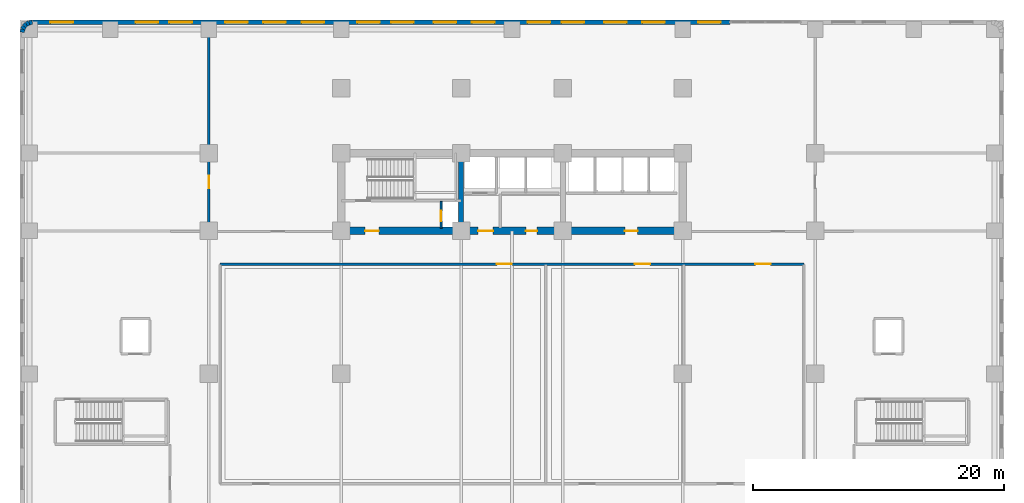
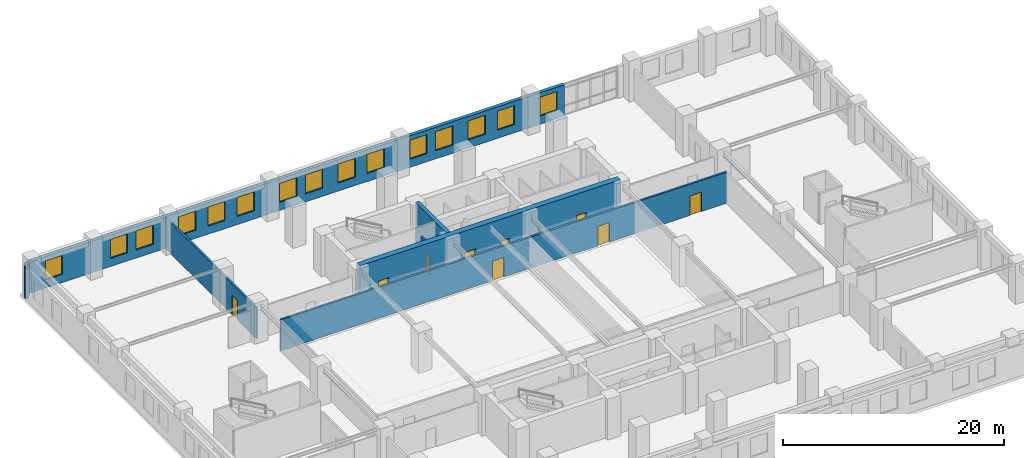
# One storey, part 9 of 16: 15 windows, 11 walls, 9 doors, 24 openings.
"""IFC4 building model written with IfcOpenShell, lengths in metres."""

from ifc_helpers import new_model, si_unit, direction, frame, frame_2d, origin, place, context, subcontext, project, spatial, rectangle, extrude, material, layer, layer_set, type_object, element, fill, save


model = new_model("IFC4")

# Units and contexts
model_context = context("Model", 3, precision=1e-05, world=origin(), true_north=direction((0.0, 1.0)))
body_context = subcontext(model_context, "Body", "Model", "MODEL_VIEW")
ifc_project = project(units=[si_unit("LENGTHUNIT", "METRE"), si_unit("AREAUNIT", "SQUARE_METRE"), si_unit("VOLUMEUNIT", "CUBIC_METRE"), si_unit("PLANEANGLEUNIT", "RADIAN"), si_unit("MASSUNIT", "GRAM", prefix="KILO")], contexts=[model_context])

# Site, building, storey
site_placement = place(None, origin())
site = spatial("IfcSite", under=ifc_project, at=site_placement, CompositionType="ELEMENT")
building_placement = place(site_placement, origin())
building = spatial("IfcBuilding", under=site, at=building_placement, Name="Svetorya Sky Lyceum", CompositionType="ELEMENT")
storey_placement = place(building_placement, frame((0.0, 0.0, 11.10009765625)))
storey = spatial("IfcBuildingStorey", under=building, at=storey_placement, Name="L02", CompositionType="ELEMENT", Elevation=11.10009765625)

# Wall
ifc_material_1 = material(Name="Concrete C40/50", Category="concrete")
ifc_layer_1 = layer(ifc_material_1, 0.39990234375)
ifc_layer_set_1 = layer_set([ifc_layer_1], Name="Concrete C40/50")
wall_type_1 = type_object("IfcWallType", Name="WL-CORE-400", PredefinedType="SHEAR", material=ifc_layer_set_1)
wall_1_placement = place(storey_placement, frame((35.14990234375, 39.89990234375, 0.0), z_axis=(0.0, 0.0, 1.0), x_axis=(0.0, 1.0, 0.0)))
element("IfcWall", 1, at=wall_1_placement, inside=storey, type_object=wall_type_1, Name="L02 NC Internal Shear Web WEB1", PredefinedType="SHEAR", context=body_context, shape_type="SweptSolid", body=[
    extrude(rectangle(XDim=5.60009765625, YDim=0.39990234375, at=frame_2d((2.800048828125, 0.0))), origin(), (0.0, 0.0, 1.0), 4.5),
])

# Wall, openings, doors
ifc_material_2 = material(Name="Concrete C60/75", Category="concrete")
ifc_layer_2 = layer(ifc_material_2, 0.60009765625)
ifc_layer_set_2 = layer_set([ifc_layer_2], Name="Concrete C60/75")
wall_type_2 = type_object("IfcWallType", Name="WL-CORE-600", PredefinedType="SHEAR", material=ifc_layer_set_2)
wall_2_placement = place(storey_placement, frame((52.800048828125, 39.60009765625, 0.0), z_axis=(0.0, 0.0, 1.0), x_axis=(-1.0, 0.0, 0.0)))
wall_2 = element("IfcWall", 2, at=wall_2_placement, inside=storey, type_object=wall_type_2, Name="L02 NC Inner Core Shear Wall", PredefinedType="SHEAR", context=body_context, shape_type="SweptSolid", body=[
    extrude(rectangle(XDim=27.199951171875, YDim=0.60009765625, at=frame_2d((13.60009765625, 0.0))), origin(), (0.0, 0.0, 1.0), 4.5),
])
opening_1_placement = place(wall_2_placement, frame((24.199951171875, 0.0, 0.0)))
opening_1 = element("IfcOpeningElement", 3, at=opening_1_placement, cuts=wall_2, Name="Opening D-ST1", PredefinedType="OPENING", context=body_context, shape_type="SweptSolid", body=[
    extrude(rectangle(XDim=1.10009765625, YDim=2.14990234375, at=frame_2d((0.550048828125, 1.074951171875))), frame((0.0, 0.31005859375, 0.0), z_axis=(0.0, -1.0, 0.0), x_axis=(1.0, 0.0, 0.0)), (0.0, 0.0, 1.0), 0.6201171875),
])
opening_2_placement = place(wall_2_placement, frame((15.10009765625, 0.0, 0.0)))
opening_2 = element("IfcOpeningElement", 4, at=opening_2_placement, cuts=wall_2, Name="Opening D-FL1", PredefinedType="OPENING", context=body_context, shape_type="SweptSolid", body=[
    extrude(rectangle(XDim=1.199951171875, YDim=2.14990234375, at=frame_2d((0.60009765625, 1.074951171875))), frame((0.0, 0.31005859375, 0.0), z_axis=(0.0, -1.0, 0.0), x_axis=(1.0, 0.0, 0.0)), (0.0, 0.0, 1.0), 0.6201171875),
])
opening_3_placement = place(wall_2_placement, frame((11.60009765625, 0.0, 0.0)))
opening_3 = element("IfcOpeningElement", 5, at=opening_3_placement, cuts=wall_2, Name="Opening D-RM1", PredefinedType="OPENING", context=body_context, shape_type="SweptSolid", body=[
    extrude(rectangle(XDim=0.89990234375, YDim=2.10009765625, at=frame_2d((0.449951171875, 1.050048828125))), frame((0.0, 0.31005859375, 0.0), z_axis=(0.0, -1.0, 0.0), x_axis=(1.0, 0.0, 0.0)), (0.0, 0.0, 1.0), 0.6201171875),
])
opening_4_placement = place(wall_2_placement, frame((3.60009765625, 0.0, 0.0)))
opening_4 = element("IfcOpeningElement", 6, at=opening_4_placement, cuts=wall_2, Name="Opening D-RM2", PredefinedType="OPENING", context=body_context, shape_type="SweptSolid", body=[
    extrude(rectangle(XDim=1.0, YDim=2.14990234375, at=frame_2d((0.5, 1.074951171875))), frame((0.0, 0.31005859375, 0.0), z_axis=(0.0, -1.0, 0.0), x_axis=(1.0, 0.0, 0.0)), (0.0, 0.0, 1.0), 0.6201171875),
])
ifc_material_3 = material(Name="Powder-coated insulated galvanized stair fire door")
door_type_1 = type_object("IfcDoorType", Name="DR-FIRE-1100", OperationType="SINGLE_SWING_LEFT", PredefinedType="DOOR", material=ifc_material_3)
door_1_placement = place(opening_1_placement, origin())
door_1 = element("IfcDoor", 7, at=door_1_placement, inside=storey, type_object=door_type_1, Name="L02 North Stair Airlock Door", OperationType="SINGLE_SWING_LEFT", OverallHeight=2.14990234375, OverallWidth=1.10009765625, PredefinedType="DOOR", context=body_context, shape_type="SweptSolid", body=[
    extrude(rectangle(XDim=1.10009765625, YDim=2.14990234375, at=frame_2d((0.550048828125, 1.074951171875))), frame((0.0, 0.02490234375, 0.0), z_axis=(0.0, -1.0, 0.0), x_axis=(1.0, 0.0, 0.0)), (0.0, 0.0, 1.0), 0.050048828125),
])
fill(opening_1, door_1)
ifc_material_4 = material(Name="Powder-coated insulated galvanized fire door")
door_type_2 = type_object("IfcDoorType", Name="DR-FIRE-1200", OperationType="SINGLE_SWING_LEFT", PredefinedType="DOOR", material=ifc_material_4)
door_2_placement = place(opening_2_placement, origin())
door_2 = element("IfcDoor", 8, at=door_2_placement, inside=storey, type_object=door_type_2, Name="L02 North Firefighting Lift Lobby Door", OperationType="SINGLE_SWING_RIGHT", OverallHeight=2.14990234375, OverallWidth=1.199951171875, PredefinedType="DOOR", context=body_context, shape_type="SweptSolid", body=[
    extrude(rectangle(XDim=1.199951171875, YDim=2.14990234375, at=frame_2d((0.60009765625, 1.074951171875))), frame((0.0, 0.02490234375, 0.0), z_axis=(0.0, -1.0, 0.0), x_axis=(1.0, 0.0, 0.0)), (0.0, 0.0, 1.0), 0.050048828125),
])
fill(opening_2, door_2)
ifc_material_5 = material(Name="Solid-core oak acoustic room door")
door_type_3 = type_object("IfcDoorType", Name="DR-INT-1000", OperationType="SINGLE_SWING_LEFT", PredefinedType="DOOR", material=ifc_material_5)
door_3_placement = place(opening_4_placement, origin())
door_3 = element("IfcDoor", 9, at=door_3_placement, inside=storey, type_object=door_type_3, Name="L02 North Trunk Store Door", OperationType="SINGLE_SWING_LEFT", OverallHeight=2.14990234375, OverallWidth=1.0, PredefinedType="DOOR", context=body_context, shape_type="SweptSolid", body=[
    extrude(rectangle(XDim=1.0, YDim=2.14990234375, at=frame_2d((0.5, 1.074951171875))), frame((0.0, 0.02490234375, 0.0), z_axis=(0.0, -1.0, 0.0), x_axis=(1.0, 0.0, 0.0)), (0.0, 0.0, 1.0), 0.050048828125),
])
fill(opening_4, door_3)
ifc_material_6 = material(Name="Lacquered birch veneer internal door")
door_type_4 = type_object("IfcDoorType", Name="DR-INT-900", OperationType="SINGLE_SWING_LEFT", PredefinedType="DOOR", material=ifc_material_6)
door_4_placement = place(opening_3_placement, origin())
door_4 = element("IfcDoor", 10, at=door_4_placement, inside=storey, type_object=door_type_4, Name="L02 North Equipment Store Door", OperationType="SINGLE_SWING_LEFT", OverallHeight=2.10009765625, OverallWidth=0.89990234375, PredefinedType="DOOR", context=body_context, shape_type="SweptSolid", body=[
    extrude(rectangle(XDim=0.89990234375, YDim=2.10009765625, at=frame_2d((0.449951171875, 1.050048828125))), frame((0.0, 0.02490234375, 0.0), z_axis=(0.0, -1.0, 0.0), x_axis=(1.0, 0.0, 0.0)), (0.0, 0.0, 1.0), 0.050048828125),
])
fill(opening_3, door_4)

# Wall, openings, windows
ifc_material_7 = material(Name="Putilovo limestone rainscreen on autoclaved cellular masonry", Category="masonry")
ifc_layer_3 = layer(ifc_material_7, 0.360107421875)
ifc_layer_set_3 = layer_set([ifc_layer_3], Name="Putilovo limestone rainscreen on autoclaved cellular masonry")
wall_type_3 = type_object("IfcWallType", Name="WL-EXT-360", PredefinedType="SOLIDWALL", material=ifc_layer_set_3)
wall_3_placement = place(storey_placement, frame((56.570068359375, 56.219970703125, 0.0), z_axis=(0.0, 0.0, 1.0), x_axis=(-1.0, 0.0, 0.0)))
wall_3 = element("IfcWall", 11, at=wall_3_placement, inside=storey, type_object=wall_type_3, Name="L02 Limestone Exterior Wall 18B", PredefinedType="SOLIDWALL", context=body_context, shape_type="SweptSolid", body=[
    extrude(rectangle(XDim=55.590087890625, YDim=0.360107421875, at=frame_2d((27.794921875, 0.0))), origin(), (0.0, 0.0, 1.0), 3.47998046875),
])
opening_5_placement = place(wall_3_placement, frame((0.74658203125, 0.0, 0.89990234375)))
opening_5 = element("IfcOpeningElement", 12, at=opening_5_placement, cuts=wall_3, Name="Opening W-S2", PredefinedType="OPENING", context=body_context, shape_type="SweptSolid", body=[
    extrude(rectangle(XDim=1.800048828125, YDim=2.10009765625, at=frame_2d((0.89990234375, 1.050048828125))), frame((0.0, 0.18994140625, 0.0), z_axis=(0.0, -1.0, 0.0), x_axis=(1.0, 0.0, 0.0)), (0.0, 0.0, 1.0), 0.380126953125),
])
opening_6_placement = place(wall_3_placement, frame((5.189697265625, 0.0, 0.89990234375)))
opening_6 = element("IfcOpeningElement", 13, at=opening_6_placement, cuts=wall_3, Name="Opening W-S2", PredefinedType="OPENING", context=body_context, shape_type="SweptSolid", body=[
    extrude(rectangle(XDim=1.800048828125, YDim=2.10009765625, at=frame_2d((0.89990234375, 1.050048828125))), frame((0.0, 0.18994140625, 0.0), z_axis=(0.0, -1.0, 0.0), x_axis=(1.0, 0.0, 0.0)), (0.0, 0.0, 1.0), 0.380126953125),
])
opening_7_placement = place(wall_3_placement, frame((8.23291015625, 0.0, 0.89990234375)))
opening_7 = element("IfcOpeningElement", 14, at=opening_7_placement, cuts=wall_3, Name="Opening W-S2", PredefinedType="OPENING", context=body_context, shape_type="SweptSolid", body=[
    extrude(rectangle(XDim=1.800048828125, YDim=2.10009765625, at=frame_2d((0.89990234375, 1.050048828125))), frame((0.0, 0.18994140625, 0.0), z_axis=(0.0, -1.0, 0.0), x_axis=(1.0, 0.0, 0.0)), (0.0, 0.0, 1.0), 0.380126953125),
])
opening_8_placement = place(wall_3_placement, frame((11.6259765625, 0.0, 0.89990234375)))
opening_8 = element("IfcOpeningElement", 15, at=opening_8_placement, cuts=wall_3, Name="Opening W-S2", PredefinedType="OPENING", context=body_context, shape_type="SweptSolid", body=[
    extrude(rectangle(XDim=1.800048828125, YDim=2.10009765625, at=frame_2d((0.89990234375, 1.050048828125))), frame((0.0, 0.18994140625, 0.0), z_axis=(0.0, -1.0, 0.0), x_axis=(1.0, 0.0, 0.0)), (0.0, 0.0, 1.0), 0.380126953125),
])
opening_9_placement = place(wall_3_placement, frame((14.319091796875, 0.0, 0.89990234375)))
opening_9 = element("IfcOpeningElement", 16, at=opening_9_placement, cuts=wall_3, Name="Opening W-S2", PredefinedType="OPENING", context=body_context, shape_type="SweptSolid", body=[
    extrude(rectangle(XDim=1.800048828125, YDim=2.10009765625, at=frame_2d((0.89990234375, 1.050048828125))), frame((0.0, 0.18994140625, 0.0), z_axis=(0.0, -1.0, 0.0), x_axis=(1.0, 0.0, 0.0)), (0.0, 0.0, 1.0), 0.380126953125),
])
opening_10_placement = place(wall_3_placement, frame((18.76220703125, 0.0, 0.89990234375)))
opening_10 = element("IfcOpeningElement", 17, at=opening_10_placement, cuts=wall_3, Name="Opening W-S2", PredefinedType="OPENING", context=body_context, shape_type="SweptSolid", body=[
    extrude(rectangle(XDim=1.800048828125, YDim=2.10009765625, at=frame_2d((0.89990234375, 1.050048828125))), frame((0.0, 0.18994140625, 0.0), z_axis=(0.0, -1.0, 0.0), x_axis=(1.0, 0.0, 0.0)), (0.0, 0.0, 1.0), 0.380126953125),
])
opening_11_placement = place(wall_3_placement, frame((21.805419921875, 0.0, 0.89990234375)))
opening_11 = element("IfcOpeningElement", 18, at=opening_11_placement, cuts=wall_3, Name="Opening W-S2", PredefinedType="OPENING", context=body_context, shape_type="SweptSolid", body=[
    extrude(rectangle(XDim=1.800048828125, YDim=2.10009765625, at=frame_2d((0.89990234375, 1.050048828125))), frame((0.0, 0.18994140625, 0.0), z_axis=(0.0, -1.0, 0.0), x_axis=(1.0, 0.0, 0.0)), (0.0, 0.0, 1.0), 0.380126953125),
])
opening_12_placement = place(wall_3_placement, frame((25.198486328125, 0.0, 0.89990234375)))
opening_12 = element("IfcOpeningElement", 19, at=opening_12_placement, cuts=wall_3, Name="Opening W-S2", PredefinedType="OPENING", context=body_context, shape_type="SweptSolid", body=[
    extrude(rectangle(XDim=1.800048828125, YDim=2.10009765625, at=frame_2d((0.89990234375, 1.050048828125))), frame((0.0, 0.18994140625, 0.0), z_axis=(0.0, -1.0, 0.0), x_axis=(1.0, 0.0, 0.0)), (0.0, 0.0, 1.0), 0.380126953125),
])
opening_13_placement = place(wall_3_placement, frame((27.8916015625, 0.0, 0.89990234375)))
opening_13 = element("IfcOpeningElement", 20, at=opening_13_placement, cuts=wall_3, Name="Opening W-S2", PredefinedType="OPENING", context=body_context, shape_type="SweptSolid", body=[
    extrude(rectangle(XDim=1.800048828125, YDim=2.10009765625, at=frame_2d((0.89990234375, 1.050048828125))), frame((0.0, 0.18994140625, 0.0), z_axis=(0.0, -1.0, 0.0), x_axis=(1.0, 0.0, 0.0)), (0.0, 0.0, 1.0), 0.380126953125),
])
opening_14_placement = place(wall_3_placement, frame((32.334716796875, 0.0, 0.89990234375)))
opening_14 = element("IfcOpeningElement", 21, at=opening_14_placement, cuts=wall_3, Name="Opening W-S2", PredefinedType="OPENING", context=body_context, shape_type="SweptSolid", body=[
    extrude(rectangle(XDim=1.800048828125, YDim=2.10009765625, at=frame_2d((0.89990234375, 1.050048828125))), frame((0.0, 0.18994140625, 0.0), z_axis=(0.0, -1.0, 0.0), x_axis=(1.0, 0.0, 0.0)), (0.0, 0.0, 1.0), 0.380126953125),
])
opening_15_placement = place(wall_3_placement, frame((35.377685546875, 0.0, 0.89990234375)))
opening_15 = element("IfcOpeningElement", 22, at=opening_15_placement, cuts=wall_3, Name="Opening W-S2", PredefinedType="OPENING", context=body_context, shape_type="SweptSolid", body=[
    extrude(rectangle(XDim=1.800048828125, YDim=2.10009765625, at=frame_2d((0.89990234375, 1.050048828125))), frame((0.0, 0.18994140625, 0.0), z_axis=(0.0, -1.0, 0.0), x_axis=(1.0, 0.0, 0.0)), (0.0, 0.0, 1.0), 0.380126953125),
])
opening_16_placement = place(wall_3_placement, frame((38.4208984375, 0.0, 0.89990234375)))
opening_16 = element("IfcOpeningElement", 23, at=opening_16_placement, cuts=wall_3, Name="Opening W-S2", PredefinedType="OPENING", context=body_context, shape_type="SweptSolid", body=[
    extrude(rectangle(XDim=1.800048828125, YDim=2.10009765625, at=frame_2d((0.89990234375, 1.050048828125))), frame((0.0, 0.18994140625, 0.0), z_axis=(0.0, -1.0, 0.0), x_axis=(1.0, 0.0, 0.0)), (0.0, 0.0, 1.0), 0.380126953125),
])
opening_17_placement = place(wall_3_placement, frame((42.864013671875, 0.0, 0.89990234375)))
opening_17 = element("IfcOpeningElement", 24, at=opening_17_placement, cuts=wall_3, Name="Opening W-S2", PredefinedType="OPENING", context=body_context, shape_type="SweptSolid", body=[
    extrude(rectangle(XDim=1.800048828125, YDim=2.10009765625, at=frame_2d((0.89990234375, 1.050048828125))), frame((0.0, 0.18994140625, 0.0), z_axis=(0.0, -1.0, 0.0), x_axis=(1.0, 0.0, 0.0)), (0.0, 0.0, 1.0), 0.380126953125),
])
opening_18_placement = place(wall_3_placement, frame((45.55712890625, 0.0, 0.89990234375)))
opening_18 = element("IfcOpeningElement", 25, at=opening_18_placement, cuts=wall_3, Name="Opening W-S2", PredefinedType="OPENING", context=body_context, shape_type="SweptSolid", body=[
    extrude(rectangle(XDim=1.800048828125, YDim=2.10009765625, at=frame_2d((0.89990234375, 1.050048828125))), frame((0.0, 0.18994140625, 0.0), z_axis=(0.0, -1.0, 0.0), x_axis=(1.0, 0.0, 0.0)), (0.0, 0.0, 1.0), 0.380126953125),
])
opening_19_placement = place(wall_3_placement, frame((52.343505859375, 0.0, 0.89990234375)))
opening_19 = element("IfcOpeningElement", 26, at=opening_19_placement, cuts=wall_3, Name="Opening W-S2", PredefinedType="OPENING", context=body_context, shape_type="SweptSolid", body=[
    extrude(rectangle(XDim=1.800048828125, YDim=2.10009765625, at=frame_2d((0.89990234375, 1.050048828125))), frame((0.0, 0.18994140625, 0.0), z_axis=(0.0, -1.0, 0.0), x_axis=(1.0, 0.0, 0.0)), (0.0, 0.0, 1.0), 0.380126953125),
])
ifc_material_8 = material(Name="Thermally broken aluminium frame with triple low-E glazing", Category="aluminium")
window_type = type_object("IfcWindowType", Name="WN-SCH-180", PartitioningType="DOUBLE_PANEL_VERTICAL", PredefinedType="WINDOW", material=ifc_material_8)
window_1_placement = place(opening_5_placement, origin())
window_1 = element("IfcWindow", 27, at=window_1_placement, inside=storey, type_object=window_type, Name="L02 Facade Window W-S2.18B.1", OverallHeight=2.10009765625, OverallWidth=1.800048828125, PartitioningType="SINGLE_PANEL", PredefinedType="WINDOW", context=body_context, shape_type="SweptSolid", body=[
    extrude(rectangle(XDim=1.800048828125, YDim=2.10009765625, at=frame_2d((0.89990234375, 1.050048828125))), frame((0.0, 0.030029296875, 0.0), z_axis=(0.0, -1.0, 0.0), x_axis=(1.0, 0.0, 0.0)), (0.0, 0.0, 1.0), 0.06005859375),
])
fill(opening_5, window_1)
window_2_placement = place(opening_6_placement, origin())
window_2 = element("IfcWindow", 28, at=window_2_placement, inside=storey, type_object=window_type, Name="L02 Facade Window W-S2.18B.2", OverallHeight=2.10009765625, OverallWidth=1.800048828125, PartitioningType="SINGLE_PANEL", PredefinedType="WINDOW", context=body_context, shape_type="SweptSolid", body=[
    extrude(rectangle(XDim=1.800048828125, YDim=2.10009765625, at=frame_2d((0.89990234375, 1.050048828125))), frame((0.0, 0.030029296875, 0.0), z_axis=(0.0, -1.0, 0.0), x_axis=(1.0, 0.0, 0.0)), (0.0, 0.0, 1.0), 0.06005859375),
])
fill(opening_6, window_2)
window_3_placement = place(opening_7_placement, origin())
window_3 = element("IfcWindow", 29, at=window_3_placement, inside=storey, type_object=window_type, Name="L02 Facade Window W-S2.18B.3", OverallHeight=2.10009765625, OverallWidth=1.800048828125, PartitioningType="SINGLE_PANEL", PredefinedType="WINDOW", context=body_context, shape_type="SweptSolid", body=[
    extrude(rectangle(XDim=1.800048828125, YDim=2.10009765625, at=frame_2d((0.89990234375, 1.050048828125))), frame((0.0, 0.030029296875, 0.0), z_axis=(0.0, -1.0, 0.0), x_axis=(1.0, 0.0, 0.0)), (0.0, 0.0, 1.0), 0.06005859375),
])
fill(opening_7, window_3)
window_4_placement = place(opening_8_placement, origin())
window_4 = element("IfcWindow", 30, at=window_4_placement, inside=storey, type_object=window_type, Name="L02 Facade Window W-S2.18B.4", OverallHeight=2.10009765625, OverallWidth=1.800048828125, PartitioningType="SINGLE_PANEL", PredefinedType="WINDOW", context=body_context, shape_type="SweptSolid", body=[
    extrude(rectangle(XDim=1.800048828125, YDim=2.10009765625, at=frame_2d((0.89990234375, 1.050048828125))), frame((0.0, 0.030029296875, 0.0), z_axis=(0.0, -1.0, 0.0), x_axis=(1.0, 0.0, 0.0)), (0.0, 0.0, 1.0), 0.06005859375),
])
fill(opening_8, window_4)
window_5_placement = place(opening_9_placement, origin())
window_5 = element("IfcWindow", 31, at=window_5_placement, inside=storey, type_object=window_type, Name="L02 Facade Window W-S2.18B.5", OverallHeight=2.10009765625, OverallWidth=1.800048828125, PartitioningType="SINGLE_PANEL", PredefinedType="WINDOW", context=body_context, shape_type="SweptSolid", body=[
    extrude(rectangle(XDim=1.800048828125, YDim=2.10009765625, at=frame_2d((0.89990234375, 1.050048828125))), frame((0.0, 0.030029296875, 0.0), z_axis=(0.0, -1.0, 0.0), x_axis=(1.0, 0.0, 0.0)), (0.0, 0.0, 1.0), 0.06005859375),
])
fill(opening_9, window_5)
window_6_placement = place(opening_10_placement, origin())
window_6 = element("IfcWindow", 32, at=window_6_placement, inside=storey, type_object=window_type, Name="L02 Facade Window W-S2.18B.6", OverallHeight=2.10009765625, OverallWidth=1.800048828125, PartitioningType="SINGLE_PANEL", PredefinedType="WINDOW", context=body_context, shape_type="SweptSolid", body=[
    extrude(rectangle(XDim=1.800048828125, YDim=2.10009765625, at=frame_2d((0.89990234375, 1.050048828125))), frame((0.0, 0.030029296875, 0.0), z_axis=(0.0, -1.0, 0.0), x_axis=(1.0, 0.0, 0.0)), (0.0, 0.0, 1.0), 0.06005859375),
])
fill(opening_10, window_6)
window_7_placement = place(opening_11_placement, origin())
window_7 = element("IfcWindow", 33, at=window_7_placement, inside=storey, type_object=window_type, Name="L02 Facade Window W-S2.18B.7", OverallHeight=2.10009765625, OverallWidth=1.800048828125, PartitioningType="SINGLE_PANEL", PredefinedType="WINDOW", context=body_context, shape_type="SweptSolid", body=[
    extrude(rectangle(XDim=1.800048828125, YDim=2.10009765625, at=frame_2d((0.89990234375, 1.050048828125))), frame((0.0, 0.030029296875, 0.0), z_axis=(0.0, -1.0, 0.0), x_axis=(1.0, 0.0, 0.0)), (0.0, 0.0, 1.0), 0.06005859375),
])
fill(opening_11, window_7)
window_8_placement = place(opening_12_placement, origin())
window_8 = element("IfcWindow", 34, at=window_8_placement, inside=storey, type_object=window_type, Name="L02 Facade Window W-S2.18B.8", OverallHeight=2.10009765625, OverallWidth=1.800048828125, PartitioningType="SINGLE_PANEL", PredefinedType="WINDOW", context=body_context, shape_type="SweptSolid", body=[
    extrude(rectangle(XDim=1.800048828125, YDim=2.10009765625, at=frame_2d((0.89990234375, 1.050048828125))), frame((0.0, 0.030029296875, 0.0), z_axis=(0.0, -1.0, 0.0), x_axis=(1.0, 0.0, 0.0)), (0.0, 0.0, 1.0), 0.06005859375),
])
fill(opening_12, window_8)
window_9_placement = place(opening_13_placement, origin())
window_9 = element("IfcWindow", 35, at=window_9_placement, inside=storey, type_object=window_type, Name="L02 Facade Window W-S2.18B.9", OverallHeight=2.10009765625, OverallWidth=1.800048828125, PartitioningType="SINGLE_PANEL", PredefinedType="WINDOW", context=body_context, shape_type="SweptSolid", body=[
    extrude(rectangle(XDim=1.800048828125, YDim=2.10009765625, at=frame_2d((0.89990234375, 1.050048828125))), frame((0.0, 0.030029296875, 0.0), z_axis=(0.0, -1.0, 0.0), x_axis=(1.0, 0.0, 0.0)), (0.0, 0.0, 1.0), 0.06005859375),
])
fill(opening_13, window_9)
window_10_placement = place(opening_14_placement, origin())
window_10 = element("IfcWindow", 36, at=window_10_placement, inside=storey, type_object=window_type, Name="L02 Facade Window W-S2.18B.10", OverallHeight=2.10009765625, OverallWidth=1.800048828125, PartitioningType="SINGLE_PANEL", PredefinedType="WINDOW", context=body_context, shape_type="SweptSolid", body=[
    extrude(rectangle(XDim=1.800048828125, YDim=2.10009765625, at=frame_2d((0.89990234375, 1.050048828125))), frame((0.0, 0.030029296875, 0.0), z_axis=(0.0, -1.0, 0.0), x_axis=(1.0, 0.0, 0.0)), (0.0, 0.0, 1.0), 0.06005859375),
])
fill(opening_14, window_10)
window_11_placement = place(opening_15_placement, origin())
window_11 = element("IfcWindow", 37, at=window_11_placement, inside=storey, type_object=window_type, Name="L02 Facade Window W-S2.18B.11", OverallHeight=2.10009765625, OverallWidth=1.800048828125, PartitioningType="SINGLE_PANEL", PredefinedType="WINDOW", context=body_context, shape_type="SweptSolid", body=[
    extrude(rectangle(XDim=1.800048828125, YDim=2.10009765625, at=frame_2d((0.89990234375, 1.050048828125))), frame((0.0, 0.030029296875, 0.0), z_axis=(0.0, -1.0, 0.0), x_axis=(1.0, 0.0, 0.0)), (0.0, 0.0, 1.0), 0.06005859375),
])
fill(opening_15, window_11)
window_12_placement = place(opening_16_placement, origin())
window_12 = element("IfcWindow", 38, at=window_12_placement, inside=storey, type_object=window_type, Name="L02 Facade Window W-S2.18B.12", OverallHeight=2.10009765625, OverallWidth=1.800048828125, PartitioningType="SINGLE_PANEL", PredefinedType="WINDOW", context=body_context, shape_type="SweptSolid", body=[
    extrude(rectangle(XDim=1.800048828125, YDim=2.10009765625, at=frame_2d((0.89990234375, 1.050048828125))), frame((0.0, 0.030029296875, 0.0), z_axis=(0.0, -1.0, 0.0), x_axis=(1.0, 0.0, 0.0)), (0.0, 0.0, 1.0), 0.06005859375),
])
fill(opening_16, window_12)
window_13_placement = place(opening_17_placement, origin())
window_13 = element("IfcWindow", 39, at=window_13_placement, inside=storey, type_object=window_type, Name="L02 Facade Window W-S2.18B.13", OverallHeight=2.10009765625, OverallWidth=1.800048828125, PartitioningType="SINGLE_PANEL", PredefinedType="WINDOW", context=body_context, shape_type="SweptSolid", body=[
    extrude(rectangle(XDim=1.800048828125, YDim=2.10009765625, at=frame_2d((0.89990234375, 1.050048828125))), frame((0.0, 0.030029296875, 0.0), z_axis=(0.0, -1.0, 0.0), x_axis=(1.0, 0.0, 0.0)), (0.0, 0.0, 1.0), 0.06005859375),
])
fill(opening_17, window_13)
window_14_placement = place(opening_18_placement, origin())
window_14 = element("IfcWindow", 40, at=window_14_placement, inside=storey, type_object=window_type, Name="L02 Facade Window W-S2.18B.14", OverallHeight=2.10009765625, OverallWidth=1.800048828125, PartitioningType="SINGLE_PANEL", PredefinedType="WINDOW", context=body_context, shape_type="SweptSolid", body=[
    extrude(rectangle(XDim=1.800048828125, YDim=2.10009765625, at=frame_2d((0.89990234375, 1.050048828125))), frame((0.0, 0.030029296875, 0.0), z_axis=(0.0, -1.0, 0.0), x_axis=(1.0, 0.0, 0.0)), (0.0, 0.0, 1.0), 0.06005859375),
])
fill(opening_18, window_14)
window_15_placement = place(opening_19_placement, origin())
window_15 = element("IfcWindow", 41, at=window_15_placement, inside=storey, type_object=window_type, Name="L02 Facade Window W-S2.18B.15", OverallHeight=2.10009765625, OverallWidth=1.800048828125, PartitioningType="SINGLE_PANEL", PredefinedType="WINDOW", context=body_context, shape_type="SweptSolid", body=[
    extrude(rectangle(XDim=1.800048828125, YDim=2.10009765625, at=frame_2d((0.89990234375, 1.050048828125))), frame((0.0, 0.030029296875, 0.0), z_axis=(0.0, -1.0, 0.0), x_axis=(1.0, 0.0, 0.0)), (0.0, 0.0, 1.0), 0.06005859375),
])
fill(opening_19, window_15)

# Walls
wall_4_placement = place(storey_placement, frame((0.97998046875, 56.219970703125, 0.0), z_axis=(0.0, 0.0, 1.0), x_axis=(-0.987731290312, -0.156163049852, 0.0)))
element("IfcWall", 42, at=wall_4_placement, inside=storey, type_object=wall_type_3, Name="L02 Limestone Exterior Wall 19M", PredefinedType="SOLIDWALL", context=body_context, shape_type="SweptSolid", body=[
    extrude(rectangle(XDim=0.250244140625, YDim=0.360107421875, at=frame_2d((0.125, 0.0))), origin(), (0.0, 0.0, 1.0), 3.47998046875),
])
wall_5_placement = place(storey_placement, frame((0.73291015625, 56.180908203125, 0.0), z_axis=(0.0, 0.0, 1.0), x_axis=(-0.89089067942, -0.454217786225, 0.0)))
element("IfcWall", 43, at=wall_5_placement, inside=storey, type_object=wall_type_3, Name="L02 Limestone Exterior Wall 20M", PredefinedType="SOLIDWALL", context=body_context, shape_type="SweptSolid", body=[
    extrude(rectangle(XDim=0.25048828125, YDim=0.360107421875, at=frame_2d((0.125244140625, 0.0))), origin(), (0.0, 0.0, 1.0), 3.47998046875),
])
for number, where, z_axis, x_axis, name in (
    (44, (0.509765625, 56.067138671875, 0.0), (0.0, 0.0, 1.0), (-0.707106781187, -0.707106781187, 0.0), "L02 Limestone Exterior Wall 21M"),
    (45, (0.332763671875, 55.89013671875, 0.0), (0.0, 0.0, 1.0), (-0.453838055457, -0.891084182005, 0.0), "L02 Limestone Exterior Wall 22M"),
):
    element("IfcWall", number, at=place(storey_placement, frame(where, z_axis=z_axis, x_axis=x_axis)), inside=storey, type_object=wall_type_3, Name=name, PredefinedType="SOLIDWALL", context=body_context, shape_type="SweptSolid", body=[
        extrude(rectangle(XDim=0.250244140625, YDim=0.360107421875, at=frame_2d((0.125, 0.0))), origin(), (0.0, 0.0, 1.0), 3.47998046875),
    ])
wall_6_placement = place(storey_placement, frame((0.21923828125, 55.667236328125, 0.0), z_axis=(0.0, 0.0, 1.0), x_axis=(-0.156963773077, -0.987604361038, 0.0)))
element("IfcWall", 46, at=wall_6_placement, inside=storey, type_object=wall_type_3, Name="L02 Limestone Exterior Wall 23M", PredefinedType="SOLIDWALL", context=body_context, shape_type="SweptSolid", body=[
    extrude(rectangle(XDim=0.25048828125, YDim=0.360107421875, at=frame_2d((0.125244140625, 0.0))), origin(), (0.0, 0.0, 1.0), 3.47998046875),
])

# Wall, opening, door
ifc_material_9 = material(Name="Autoclaved cellular masonry blockwork with acoustic render", Category="masonry")
ifc_layer_4 = layer(ifc_material_9, 0.14990234375)
ifc_layer_set_4 = layer_set([ifc_layer_4], Name="Autoclaved cellular masonry blockwork with acoustic render")
wall_type_4 = type_object("IfcWallType", Name="WL-PART-150", PredefinedType="PARTITIONING", material=ifc_layer_set_4)
wall_7_placement = place(storey_placement, frame((33.550048828125, 39.820068359375, 0.0), z_axis=(0.0, 0.0, 1.0), x_axis=(0.0, 1.0, 0.0)))
wall_7 = element("IfcWall", 47, at=wall_7_placement, inside=storey, type_object=wall_type_4, Name="L02 Interior Partition NC-RSRW", PredefinedType="PARTITIONING", context=body_context, shape_type="SweptSolid", body=[
    extrude(rectangle(XDim=2.1298828125, YDim=0.14990234375, at=frame_2d((1.06494140625, 0.0))), origin(), (0.0, 0.0, 1.0), 3.419921875),
])
opening_20_placement = place(wall_7_placement, frame((0.550048828125, 0.0, 0.0)))
opening_20 = element("IfcOpeningElement", 48, at=opening_20_placement, cuts=wall_7, Name="Opening D-SH1", PredefinedType="OPENING", context=body_context, shape_type="SweptSolid", body=[
    extrude(rectangle(XDim=0.85009765625, YDim=2.050048828125, at=frame_2d((0.425048828125, 1.02490234375))), frame((0.0, 0.0849609375, 0.0), z_axis=(0.0, -1.0, 0.0), x_axis=(1.0, 0.0, 0.0)), (0.0, 0.0, 1.0), 0.169921875),
])
ifc_material_10 = material(Name="Insulated galvanized riser inspection fire door")
door_type_5 = type_object("IfcDoorType", Name="DR-SHFT-850", OperationType="SINGLE_SWING_LEFT", PredefinedType="TRAPDOOR", material=ifc_material_10)
door_5_placement = place(opening_20_placement, origin())
door_5 = element("IfcDoor", 49, at=door_5_placement, inside=storey, type_object=door_type_5, Name="L02 North Riser Access Door", OperationType="SINGLE_SWING_LEFT", OverallHeight=2.050048828125, OverallWidth=0.85009765625, PredefinedType="TRAPDOOR", context=body_context, shape_type="SweptSolid", body=[
    extrude(rectangle(XDim=0.85009765625, YDim=2.050048828125, at=frame_2d((0.425048828125, 1.02490234375))), frame((0.0, 0.02490234375, 0.0), z_axis=(0.0, -1.0, 0.0), x_axis=(1.0, 0.0, 0.0)), (0.0, 0.0, 1.0), 0.050048828125),
])
fill(opening_20, door_5)

# Wall, openings, doors
ifc_material_11 = material(Name="Autoclaved cellular masonry blockwork with gypsum plaster", Category="masonry")
ifc_layer_5 = layer(ifc_material_11, 0.199951171875)
ifc_layer_set_5 = layer_set([ifc_layer_5], Name="Autoclaved cellular masonry blockwork with gypsum plaster")
wall_type_5 = type_object("IfcWallType", Name="WL-PART-200", PredefinedType="PARTITIONING", material=ifc_layer_set_5)
wall_8_placement = place(storey_placement, frame((62.449951171875, 36.949951171875, 0.0), z_axis=(0.0, 0.0, 1.0), x_axis=(-1.0, 0.0, 0.0)))
wall_8 = element("IfcWall", 50, at=wall_8_placement, inside=storey, type_object=wall_type_5, Name="L02 Interior Partition CEN-N", PredefinedType="PARTITIONING", context=body_context, shape_type="SweptSolid", body=[
    extrude(rectangle(XDim=46.5, YDim=0.199951171875, at=frame_2d((23.25, 0.0))), origin(), (0.0, 0.0, 1.0), 3.419921875),
])
opening_21_placement = place(wall_8_placement, frame((23.25, 0.0, 0.0)))
opening_21 = element("IfcOpeningElement", 51, at=opening_21_placement, cuts=wall_8, Name="Opening D-SC1", PredefinedType="OPENING", context=body_context, shape_type="SweptSolid", body=[
    extrude(rectangle(XDim=1.199951171875, YDim=2.14990234375, at=frame_2d((0.60009765625, 1.074951171875))), frame((0.0, 0.10986328125, 0.0), z_axis=(0.0, -1.0, 0.0), x_axis=(1.0, 0.0, 0.0)), (0.0, 0.0, 1.0), 0.219970703125),
])
opening_22_placement = place(wall_8_placement, frame((12.25, 0.0, 0.0)))
opening_22 = element("IfcOpeningElement", 52, at=opening_22_placement, cuts=wall_8, Name="Opening D-SC1", PredefinedType="OPENING", context=body_context, shape_type="SweptSolid", body=[
    extrude(rectangle(XDim=1.199951171875, YDim=2.14990234375, at=frame_2d((0.60009765625, 1.074951171875))), frame((0.0, 0.10986328125, 0.0), z_axis=(0.0, -1.0, 0.0), x_axis=(1.0, 0.0, 0.0)), (0.0, 0.0, 1.0), 0.219970703125),
])
opening_23_placement = place(wall_8_placement, frame((2.64990234375, 0.0, 0.0)))
opening_23 = element("IfcOpeningElement", 53, at=opening_23_placement, cuts=wall_8, Name="Opening D-SC1", PredefinedType="OPENING", context=body_context, shape_type="SweptSolid", body=[
    extrude(rectangle(XDim=1.199951171875, YDim=2.14990234375, at=frame_2d((0.60009765625, 1.074951171875))), frame((0.0, 0.10986328125, 0.0), z_axis=(0.0, -1.0, 0.0), x_axis=(1.0, 0.0, 0.0)), (0.0, 0.0, 1.0), 0.219970703125),
])
ifc_material_12 = material(Name="Acoustic solid-core birch classroom door")
door_type_6 = type_object("IfcDoorType", Name="DR-SCH-1200", OperationType="SINGLE_SWING_LEFT", PredefinedType="DOOR", material=ifc_material_12)
door_6_placement = place(opening_21_placement, origin())
door_6 = element("IfcDoor", 54, at=door_6_placement, inside=storey, type_object=door_type_6, Name="L02 Assembly Lecture Hall North Door", OperationType="SINGLE_SWING_RIGHT", OverallHeight=2.14990234375, OverallWidth=1.199951171875, PredefinedType="DOOR", context=body_context, shape_type="SweptSolid", body=[
    extrude(rectangle(XDim=1.199951171875, YDim=2.14990234375, at=frame_2d((0.60009765625, 1.074951171875))), frame((0.0, 0.02490234375, 0.0), z_axis=(0.0, -1.0, 0.0), x_axis=(1.0, 0.0, 0.0)), (0.0, 0.0, 1.0), 0.050048828125),
])
fill(opening_21, door_6)
door_7_placement = place(opening_22_placement, origin())
door_7 = element("IfcDoor", 55, at=door_7_placement, inside=storey, type_object=door_type_6, Name="L02 Laboratory Cosmic Robotics North Door", OperationType="SINGLE_SWING_LEFT", OverallHeight=2.14990234375, OverallWidth=1.199951171875, PredefinedType="DOOR", context=body_context, shape_type="SweptSolid", body=[
    extrude(rectangle(XDim=1.199951171875, YDim=2.14990234375, at=frame_2d((0.60009765625, 1.074951171875))), frame((0.0, 0.02490234375, 0.0), z_axis=(0.0, -1.0, 0.0), x_axis=(1.0, 0.0, 0.0)), (0.0, 0.0, 1.0), 0.050048828125),
])
fill(opening_22, door_7)
door_8_placement = place(opening_23_placement, origin())
door_8 = element("IfcDoor", 56, at=door_8_placement, inside=storey, type_object=door_type_6, Name="L02 Laboratory Physics Teaching North Door", OperationType="SINGLE_SWING_RIGHT", OverallHeight=2.14990234375, OverallWidth=1.199951171875, PredefinedType="DOOR", context=body_context, shape_type="SweptSolid", body=[
    extrude(rectangle(XDim=1.199951171875, YDim=2.14990234375, at=frame_2d((0.60009765625, 1.074951171875))), frame((0.0, 0.02490234375, 0.0), z_axis=(0.0, -1.0, 0.0), x_axis=(1.0, 0.0, 0.0)), (0.0, 0.0, 1.0), 0.050048828125),
])
fill(opening_23, door_8)

# Wall, opening, door
wall_9_placement = place(storey_placement, frame((15.050048828125, 39.60009765625, 0.0), z_axis=(0.0, 0.0, 1.0), x_axis=(0.0, 1.0, 0.0)))
wall_9 = element("IfcWall", 57, at=wall_9_placement, inside=storey, type_object=wall_type_5, Name="L02 Interior Partition NW-DIV", PredefinedType="PARTITIONING", context=body_context, shape_type="SweptSolid", body=[
    extrude(rectangle(XDim=16.39990234375, YDim=0.199951171875, at=frame_2d((8.199951171875, 0.0))), origin(), (0.0, 0.0, 1.0), 3.419921875),
])
opening_24_placement = place(wall_9_placement, frame((3.39990234375, 0.0, 0.0)))
opening_24 = element("IfcOpeningElement", 58, at=opening_24_placement, cuts=wall_9, Name="Opening D-RM2", PredefinedType="OPENING", context=body_context, shape_type="SweptSolid", body=[
    extrude(rectangle(XDim=1.0, YDim=2.14990234375, at=frame_2d((0.5, 1.074951171875))), frame((0.0, 0.10986328125, 0.0), z_axis=(0.0, -1.0, 0.0), x_axis=(1.0, 0.0, 0.0)), (0.0, 0.0, 1.0), 0.219970703125),
])
door_9_placement = place(opening_24_placement, origin())
door_9 = element("IfcDoor", 59, at=door_9_placement, inside=storey, type_object=door_type_3, Name="L02 Seminar Room Door", OperationType="SINGLE_SWING_LEFT", OverallHeight=2.14990234375, OverallWidth=1.0, PredefinedType="DOOR", context=body_context, shape_type="SweptSolid", body=[
    extrude(rectangle(XDim=1.0, YDim=2.14990234375, at=frame_2d((0.5, 1.074951171875))), frame((0.0, 0.02490234375, 0.0), z_axis=(0.0, -1.0, 0.0), x_axis=(1.0, 0.0, 0.0)), (0.0, 0.0, 1.0), 0.050048828125),
])
fill(opening_24, door_9)

save(model, "model.ifc")
